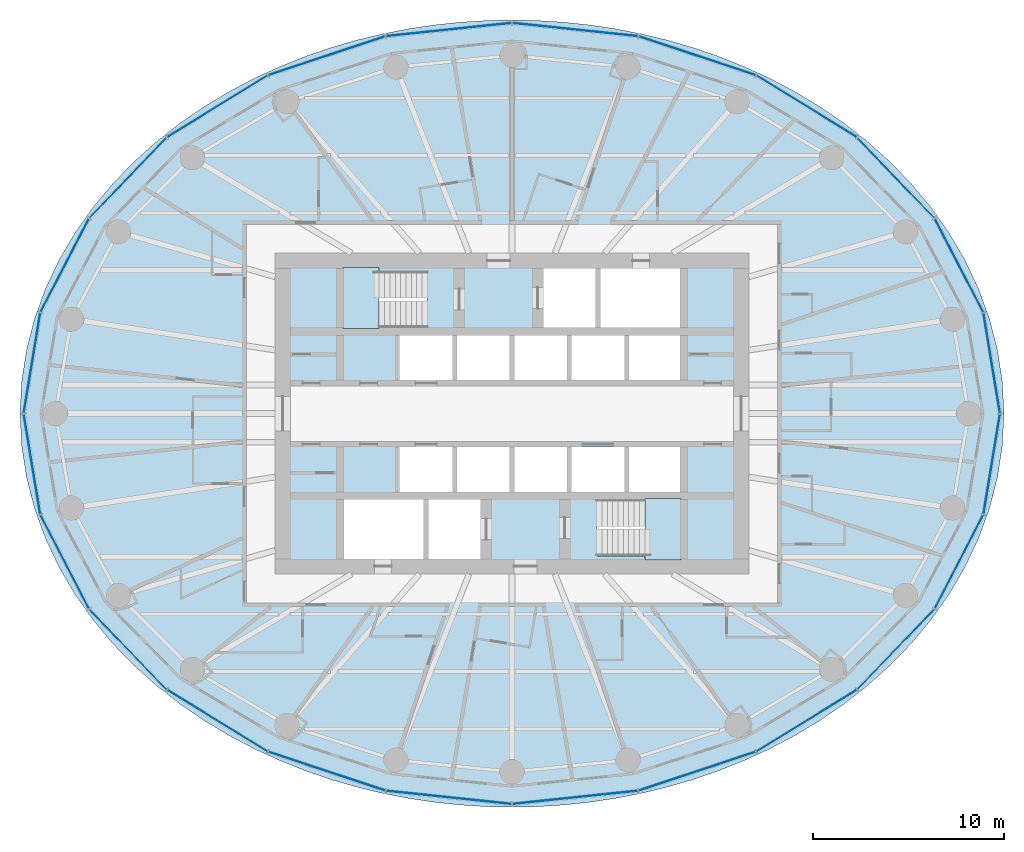
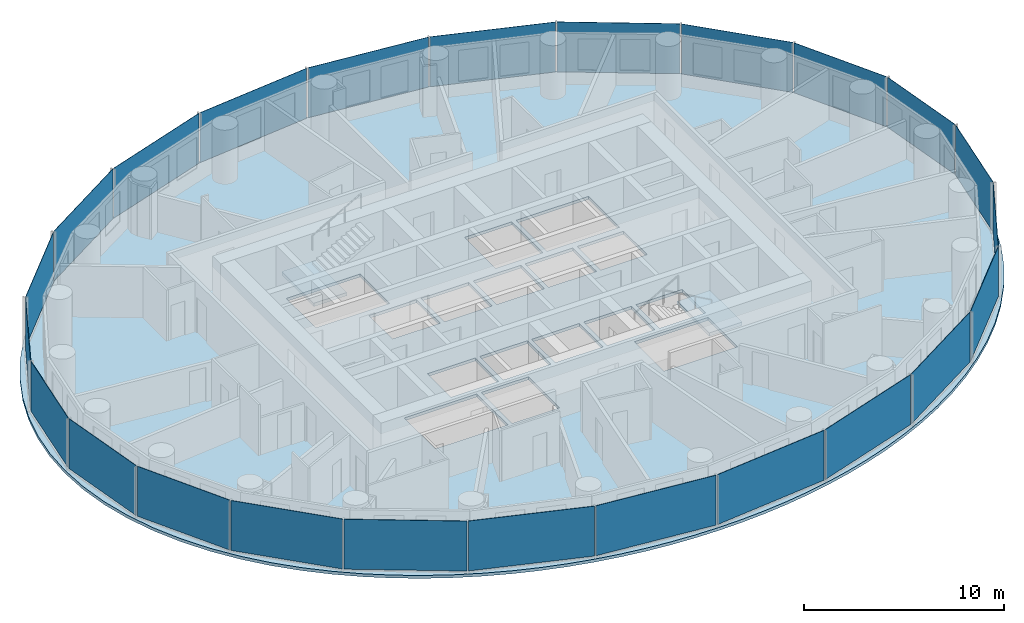
# One storey, part 5 of 13: 24 plates, 3 slabs, 6 elements without a shape of their own.
"""IFC4 building model written with IfcOpenShell, lengths in metres."""

from ifc_helpers import new_model, si_unit, direction, frame, origin, origin_2d, place, context, subcontext, project, spatial, polyline, rectangle, outline, extrude, material, layer, layer_set, type_object, element, aggregate, save


model = new_model("IFC4")

# Units and contexts
model_context = context("Model", 3, precision=1e-05, world=origin(), true_north=direction((0.0, 1.0)))
body_context = subcontext(model_context, "Body", "Model", "MODEL_VIEW")
ifc_project = project(units=[si_unit("LENGTHUNIT", "METRE"), si_unit("AREAUNIT", "SQUARE_METRE"), si_unit("VOLUMEUNIT", "CUBIC_METRE"), si_unit("PLANEANGLEUNIT", "RADIAN"), si_unit("MASSUNIT", "GRAM", prefix="KILO")], contexts=[model_context])

# Site, building, storey
site_placement = place(None, origin())
site = spatial("IfcSite", under=ifc_project, at=site_placement, CompositionType="ELEMENT")
building_placement = place(site_placement, origin())
building = spatial("IfcBuilding", under=site, at=building_placement, Name="Hankou Lantern Tower", CompositionType="ELEMENT")
storey_placement = place(building_placement, frame((0.0, 0.0, 132.0)))
storey = spatial("IfcBuildingStorey", under=building, at=storey_placement, Name="L34", CompositionType="ELEMENT", Elevation=132.0)

# Curtain wall, plates
ifc_material_1 = material(Name="Glass, dark grey tinted laminated", Category="glass")
curtain_wall_type = type_object("IfcCurtainWallType", Name="CWB OUTER SKIN MID-RISE", PredefinedType="USERDEFINED", material=ifc_material_1)
curtain_wall_1_placement = place(storey_placement, origin())
curtain_wall_1 = element("IfcCurtainWall", 1, at=curtain_wall_1_placement, inside=storey, type_object=curtain_wall_type, Name="CWB L34 OS1", ObjectType="OUTER SKIN MID-RISE", PredefinedType="USERDEFINED")
ifc_material_2 = material(Name="Glass, dark grey tinted laminated", Category="glass")
ifc_layer_1 = layer(ifc_material_2, 0.02392578125)
ifc_layer_set_1 = layer_set([ifc_layer_1], Name="Glass, dark grey tinted laminated")
plate_type = type_object("IfcPlateType", Name="PN1 OUTER SKIN GLASS PANEL", PredefinedType="CURTAIN_PANEL", material=ifc_layer_set_1)
plate_1_placement = place(storey_placement, frame((25.11474609375, 2.64501953125, 0.080078125), z_axis=(0.0, 0.0, 1.0), x_axis=(-0.162381515188, 0.986728049427, 0.0)))
plate_1 = element("IfcPlate", 2, at=plate_1_placement, type_object=plate_type, Name="CWB glass panel 1", PredefinedType="CURTAIN_PANEL", context=body_context, shape_type="SweptSolid", body=[
    extrude(rectangle(XDim=5.281494140625, YDim=0.02392578125, at=origin_2d()), origin(), (0.0, 0.0, 1.0), 3.0400390625),
])
plate_2_placement = place(storey_placement, frame((23.403076171875, 7.755126953125, 0.080078125), z_axis=(0.0, 0.0, 1.0), x_axis=(-0.459791091957, 0.888027112062, 0.0)))
plate_2 = element("IfcPlate", 3, at=plate_2_placement, type_object=plate_type, Name="CWB glass panel 2", PredefinedType="CURTAIN_PANEL", context=body_context, shape_type="SweptSolid", body=[
    extrude(rectangle(XDim=5.471435546875, YDim=0.02392578125, at=origin_2d()), origin(), (0.0, 0.0, 1.0), 3.0400390625),
])
plate_3_placement = place(storey_placement, frame((20.0966796875, 12.336669921875, 0.080078125), z_axis=(0.0, 0.0, 1.0), x_axis=(-0.692215809936, 0.721690565599, 0.0)))
plate_3 = element("IfcPlate", 4, at=plate_3_placement, type_object=plate_type, Name="CWB glass panel 3", PredefinedType="CURTAIN_PANEL", context=body_context, shape_type="SweptSolid", body=[
    extrude(rectangle(XDim=5.78564453125, YDim=0.02392578125, at=origin_2d()), origin(), (0.0, 0.0, 1.0), 3.0400390625),
])
plate_4_placement = place(storey_placement, frame((15.4208984375, 16.077392578125, 0.080078125), z_axis=(0.0, 0.0, 1.0), x_axis=(-0.852237151549, 0.523155653242, 0.0)))
plate_4 = element("IfcPlate", 5, at=plate_4_placement, type_object=plate_type, Name="CWB glass panel 4", PredefinedType="CURTAIN_PANEL", context=body_context, shape_type="SweptSolid", body=[
    extrude(rectangle(XDim=6.129150390625, YDim=0.02392578125, at=origin_2d()), origin(), (0.0, 0.0, 1.0), 3.0400390625),
])
plate_5_placement = place(storey_placement, frame((9.69384765625, 18.72265625, 0.080078125), z_axis=(0.0, 0.0, 1.0), x_axis=(-0.949240677293, 0.31455068999, 0.0)))
plate_5 = element("IfcPlate", 6, at=plate_5_placement, type_object=plate_type, Name="CWB glass panel 5", PredefinedType="CURTAIN_PANEL", context=body_context, shape_type="SweptSolid", body=[
    extrude(rectangle(XDim=6.41162109375, YDim=0.02392578125, at=origin_2d()), origin(), (0.0, 0.0, 1.0), 3.0400390625),
])
plate_6_placement = place(storey_placement, frame((3.306396484375, 20.091796875, 0.080078125), z_axis=(0.0, 0.0, 1.0), x_axis=(-0.994499359107, 0.104742659579, 0.0)))
plate_6 = element("IfcPlate", 7, at=plate_6_placement, type_object=plate_type, Name="CWB glass panel 6", PredefinedType="CURTAIN_PANEL", context=body_context, shape_type="SweptSolid", body=[
    extrude(rectangle(XDim=6.5693359375, YDim=0.02392578125, at=origin_2d()), origin(), (0.0, 0.0, 1.0), 3.0400390625),
])
aggregate(curtain_wall_1, [plate_1, plate_2, plate_3, plate_4, plate_5, plate_6])

curtain_wall_2_placement = place(storey_placement, origin())
curtain_wall_2 = element("IfcCurtainWall", 8, at=curtain_wall_2_placement, inside=storey, type_object=curtain_wall_type, Name="CWB L34 OS2", ObjectType="OUTER SKIN MID-RISE", PredefinedType="USERDEFINED")
plate_7_placement = place(storey_placement, frame((-3.306396484375, 20.091796875, 0.080078125), z_axis=(0.0, 0.0, 1.0), x_axis=(-0.994499359107, -0.104742659579, 0.0)))
plate_7 = element("IfcPlate", 9, at=plate_7_placement, type_object=plate_type, Name="CWB glass panel 1", PredefinedType="CURTAIN_PANEL", context=body_context, shape_type="SweptSolid", body=[
    extrude(rectangle(XDim=6.5693359375, YDim=0.02392578125, at=origin_2d()), origin(), (0.0, 0.0, 1.0), 3.0400390625),
])
plate_8_placement = place(storey_placement, frame((-9.69384765625, 18.72265625, 0.080078125), z_axis=(0.0, 0.0, 1.0), x_axis=(-0.949240677293, -0.31455068999, 0.0)))
plate_8 = element("IfcPlate", 10, at=plate_8_placement, type_object=plate_type, Name="CWB glass panel 2", PredefinedType="CURTAIN_PANEL", context=body_context, shape_type="SweptSolid", body=[
    extrude(rectangle(XDim=6.41162109375, YDim=0.02392578125, at=origin_2d()), origin(), (0.0, 0.0, 1.0), 3.0400390625),
])
plate_9_placement = place(storey_placement, frame((-15.4208984375, 16.077392578125, 0.080078125), z_axis=(0.0, 0.0, 1.0), x_axis=(-0.852237151549, -0.523155653242, 0.0)))
plate_9 = element("IfcPlate", 11, at=plate_9_placement, type_object=plate_type, Name="CWB glass panel 3", PredefinedType="CURTAIN_PANEL", context=body_context, shape_type="SweptSolid", body=[
    extrude(rectangle(XDim=6.129150390625, YDim=0.02392578125, at=origin_2d()), origin(), (0.0, 0.0, 1.0), 3.0400390625),
])
plate_10_placement = place(storey_placement, frame((-20.0966796875, 12.336669921875, 0.080078125), z_axis=(0.0, 0.0, 1.0), x_axis=(-0.692215809936, -0.721690565599, 0.0)))
plate_10 = element("IfcPlate", 12, at=plate_10_placement, type_object=plate_type, Name="CWB glass panel 4", PredefinedType="CURTAIN_PANEL", context=body_context, shape_type="SweptSolid", body=[
    extrude(rectangle(XDim=5.78564453125, YDim=0.02392578125, at=origin_2d()), origin(), (0.0, 0.0, 1.0), 3.0400390625),
])
plate_11_placement = place(storey_placement, frame((-23.403076171875, 7.755126953125, 0.080078125), z_axis=(0.0, 0.0, 1.0), x_axis=(-0.459791091957, -0.888027112062, 0.0)))
plate_11 = element("IfcPlate", 13, at=plate_11_placement, type_object=plate_type, Name="CWB glass panel 5", PredefinedType="CURTAIN_PANEL", context=body_context, shape_type="SweptSolid", body=[
    extrude(rectangle(XDim=5.471435546875, YDim=0.02392578125, at=origin_2d()), origin(), (0.0, 0.0, 1.0), 3.0400390625),
])
plate_12_placement = place(storey_placement, frame((-25.11474609375, 2.64501953125, 0.080078125), z_axis=(0.0, 0.0, 1.0), x_axis=(-0.162381515188, -0.986728049427, 0.0)))
plate_12 = element("IfcPlate", 14, at=plate_12_placement, type_object=plate_type, Name="CWB glass panel 6", PredefinedType="CURTAIN_PANEL", context=body_context, shape_type="SweptSolid", body=[
    extrude(rectangle(XDim=5.281494140625, YDim=0.02392578125, at=origin_2d()), origin(), (0.0, 0.0, 1.0), 3.0400390625),
])
aggregate(curtain_wall_2, [plate_7, plate_8, plate_9, plate_10, plate_11, plate_12])

curtain_wall_3_placement = place(storey_placement, origin())
curtain_wall_3 = element("IfcCurtainWall", 15, at=curtain_wall_3_placement, inside=storey, type_object=curtain_wall_type, Name="CWB L34 OS3", ObjectType="OUTER SKIN MID-RISE", PredefinedType="USERDEFINED")
plate_13_placement = place(storey_placement, frame((-25.11474609375, -2.64501953125, 0.080078125), z_axis=(0.0, 0.0, 1.0), x_axis=(0.162381515188, -0.986728049427, 0.0)))
plate_13 = element("IfcPlate", 16, at=plate_13_placement, type_object=plate_type, Name="CWB glass panel 1", PredefinedType="CURTAIN_PANEL", context=body_context, shape_type="SweptSolid", body=[
    extrude(rectangle(XDim=5.281494140625, YDim=0.02392578125, at=origin_2d()), origin(), (0.0, 0.0, 1.0), 3.0400390625),
])
plate_14_placement = place(storey_placement, frame((-23.403076171875, -7.755126953125, 0.080078125), z_axis=(0.0, 0.0, 1.0), x_axis=(0.459791091957, -0.888027112062, 0.0)))
plate_14 = element("IfcPlate", 17, at=plate_14_placement, type_object=plate_type, Name="CWB glass panel 2", PredefinedType="CURTAIN_PANEL", context=body_context, shape_type="SweptSolid", body=[
    extrude(rectangle(XDim=5.471435546875, YDim=0.02392578125, at=origin_2d()), origin(), (0.0, 0.0, 1.0), 3.0400390625),
])
plate_15_placement = place(storey_placement, frame((-20.0966796875, -12.336669921875, 0.080078125), z_axis=(0.0, 0.0, 1.0), x_axis=(0.692215809936, -0.721690565599, 0.0)))
plate_15 = element("IfcPlate", 18, at=plate_15_placement, type_object=plate_type, Name="CWB glass panel 3", PredefinedType="CURTAIN_PANEL", context=body_context, shape_type="SweptSolid", body=[
    extrude(rectangle(XDim=5.78564453125, YDim=0.02392578125, at=origin_2d()), origin(), (0.0, 0.0, 1.0), 3.0400390625),
])
plate_16_placement = place(storey_placement, frame((-15.4208984375, -16.077392578125, 0.080078125), z_axis=(0.0, 0.0, 1.0), x_axis=(0.852237151549, -0.523155653242, 0.0)))
plate_16 = element("IfcPlate", 19, at=plate_16_placement, type_object=plate_type, Name="CWB glass panel 4", PredefinedType="CURTAIN_PANEL", context=body_context, shape_type="SweptSolid", body=[
    extrude(rectangle(XDim=6.129150390625, YDim=0.02392578125, at=origin_2d()), origin(), (0.0, 0.0, 1.0), 3.0400390625),
])
plate_17_placement = place(storey_placement, frame((-9.69384765625, -18.72265625, 0.080078125), z_axis=(0.0, 0.0, 1.0), x_axis=(0.949240677293, -0.31455068999, 0.0)))
plate_17 = element("IfcPlate", 20, at=plate_17_placement, type_object=plate_type, Name="CWB glass panel 5", PredefinedType="CURTAIN_PANEL", context=body_context, shape_type="SweptSolid", body=[
    extrude(rectangle(XDim=6.41162109375, YDim=0.02392578125, at=origin_2d()), origin(), (0.0, 0.0, 1.0), 3.0400390625),
])
plate_18_placement = place(storey_placement, frame((-3.306396484375, -20.091796875, 0.080078125), z_axis=(0.0, 0.0, 1.0), x_axis=(0.994499359107, -0.104742659579, 0.0)))
plate_18 = element("IfcPlate", 21, at=plate_18_placement, type_object=plate_type, Name="CWB glass panel 6", PredefinedType="CURTAIN_PANEL", context=body_context, shape_type="SweptSolid", body=[
    extrude(rectangle(XDim=6.5693359375, YDim=0.02392578125, at=origin_2d()), origin(), (0.0, 0.0, 1.0), 3.0400390625),
])
aggregate(curtain_wall_3, [plate_13, plate_14, plate_15, plate_16, plate_17, plate_18])

curtain_wall_4_placement = place(storey_placement, origin())
curtain_wall_4 = element("IfcCurtainWall", 22, at=curtain_wall_4_placement, inside=storey, type_object=curtain_wall_type, Name="CWB L34 OS4", ObjectType="OUTER SKIN MID-RISE", PredefinedType="USERDEFINED")
plate_19_placement = place(storey_placement, frame((3.306396484375, -20.091796875, 0.080078125), z_axis=(0.0, 0.0, 1.0), x_axis=(0.994499359107, 0.104742659579, 0.0)))
plate_19 = element("IfcPlate", 23, at=plate_19_placement, type_object=plate_type, Name="CWB glass panel 1", PredefinedType="CURTAIN_PANEL", context=body_context, shape_type="SweptSolid", body=[
    extrude(rectangle(XDim=6.5693359375, YDim=0.02392578125, at=origin_2d()), origin(), (0.0, 0.0, 1.0), 3.0400390625),
])
plate_20_placement = place(storey_placement, frame((9.69384765625, -18.72265625, 0.080078125), z_axis=(0.0, 0.0, 1.0), x_axis=(0.949240677293, 0.31455068999, 0.0)))
plate_20 = element("IfcPlate", 24, at=plate_20_placement, type_object=plate_type, Name="CWB glass panel 2", PredefinedType="CURTAIN_PANEL", context=body_context, shape_type="SweptSolid", body=[
    extrude(rectangle(XDim=6.41162109375, YDim=0.02392578125, at=origin_2d()), origin(), (0.0, 0.0, 1.0), 3.0400390625),
])
plate_21_placement = place(storey_placement, frame((15.4208984375, -16.077392578125, 0.080078125), z_axis=(0.0, 0.0, 1.0), x_axis=(0.852237151549, 0.523155653242, 0.0)))
plate_21 = element("IfcPlate", 25, at=plate_21_placement, type_object=plate_type, Name="CWB glass panel 3", PredefinedType="CURTAIN_PANEL", context=body_context, shape_type="SweptSolid", body=[
    extrude(rectangle(XDim=6.129150390625, YDim=0.02392578125, at=origin_2d()), origin(), (0.0, 0.0, 1.0), 3.0400390625),
])
plate_22_placement = place(storey_placement, frame((20.0966796875, -12.336669921875, 0.080078125), z_axis=(0.0, 0.0, 1.0), x_axis=(0.692215809936, 0.721690565599, 0.0)))
plate_22 = element("IfcPlate", 26, at=plate_22_placement, type_object=plate_type, Name="CWB glass panel 4", PredefinedType="CURTAIN_PANEL", context=body_context, shape_type="SweptSolid", body=[
    extrude(rectangle(XDim=5.78564453125, YDim=0.02392578125, at=origin_2d()), origin(), (0.0, 0.0, 1.0), 3.0400390625),
])
plate_23_placement = place(storey_placement, frame((23.403076171875, -7.755126953125, 0.080078125), z_axis=(0.0, 0.0, 1.0), x_axis=(0.459791091957, 0.888027112062, 0.0)))
plate_23 = element("IfcPlate", 27, at=plate_23_placement, type_object=plate_type, Name="CWB glass panel 5", PredefinedType="CURTAIN_PANEL", context=body_context, shape_type="SweptSolid", body=[
    extrude(rectangle(XDim=5.471435546875, YDim=0.02392578125, at=origin_2d()), origin(), (0.0, 0.0, 1.0), 3.0400390625),
])
plate_24_placement = place(storey_placement, frame((25.11474609375, -2.64501953125, 0.080078125), z_axis=(0.0, 0.0, 1.0), x_axis=(0.162381515188, 0.986728049427, 0.0)))
plate_24 = element("IfcPlate", 28, at=plate_24_placement, type_object=plate_type, Name="CWB glass panel 6", PredefinedType="CURTAIN_PANEL", context=body_context, shape_type="SweptSolid", body=[
    extrude(rectangle(XDim=5.281494140625, YDim=0.02392578125, at=origin_2d()), origin(), (0.0, 0.0, 1.0), 3.0400390625),
])
aggregate(curtain_wall_4, [plate_19, plate_20, plate_21, plate_22, plate_23, plate_24])

# Slab
ifc_material_3 = material(Name="Concrete C50", Category="concrete")
ifc_layer_2 = layer(ifc_material_3, 0.179931640625)
ifc_layer_set_2 = layer_set([ifc_layer_2], Name="Concrete C50")
slab_type_1 = type_object("IfcSlabType", Name="S1 CONCRETE FLOOR SLAB 180", PredefinedType="FLOOR", material=ifc_layer_set_2)
slab_1_placement = place(storey_placement, frame((0.0, 0.0, -0.179931640625)))
element("IfcSlab", 29, at=slab_1_placement, inside=storey, type_object=slab_type_1, Name="Floor slab L34", PredefinedType="FLOOR", context=body_context, shape_type="SweptSolid", body=[
    extrude(outline(polyline([(25.75, 0.0), (25.6640625, 1.68212890625), (25.408203125, 3.344970703125), (24.9892578125, 4.970703125), (24.416748046875, 6.54248046875), (23.704345703125, 8.046630859375), (22.86669921875, 9.4716796875), (21.919921875, 10.809814453125), (20.88037109375, 12.05517578125), (19.763427734375, 13.205322265625), (18.58349609375, 14.259765625), (17.35400390625, 15.218994140625), (16.0859375, 16.0859375), (14.7890625, 16.863525390625), (13.47119140625, 17.55615234375), (12.138916015625, 18.167236328125), (10.79736328125, 18.701416015625), (9.449951171875, 19.16259765625), (8.099609375, 19.554443359375), (6.748291015625, 19.8798828125), (5.397216796875, 20.142333984375), (4.046630859375, 20.343994140625), (2.697021484375, 20.486572265625), (1.348388671875, 20.57177734375), (0.0, 20.60009765625), (-1.348388671875, 20.57177734375), (-2.697021484375, 20.486572265625), (-4.046630859375, 20.343994140625), (-5.397216796875, 20.142333984375), (-6.748291015625, 19.8798828125), (-8.099609375, 19.554443359375), (-9.449951171875, 19.16259765625), (-10.79736328125, 18.701416015625), (-12.138916015625, 18.167236328125), (-13.47119140625, 17.55615234375), (-14.7890625, 16.863525390625), (-16.0859375, 16.0859375), (-17.35400390625, 15.218994140625), (-18.58349609375, 14.259765625), (-19.763427734375, 13.205322265625), (-20.88037109375, 12.05517578125), (-21.919921875, 10.809814453125), (-22.86669921875, 9.4716796875), (-23.704345703125, 8.046630859375), (-24.416748046875, 6.54248046875), (-24.9892578125, 4.970703125), (-25.408203125, 3.344970703125), (-25.6640625, 1.68212890625), (-25.75, 0.0), (-25.6640625, -1.68212890625), (-25.408203125, -3.344970703125), (-24.9892578125, -4.970703125), (-24.416748046875, -6.54248046875), (-23.704345703125, -8.046630859375), (-22.86669921875, -9.4716796875), (-21.919921875, -10.809814453125), (-20.88037109375, -12.05517578125), (-19.763427734375, -13.205322265625), (-18.58349609375, -14.259765625), (-17.35400390625, -15.218994140625), (-16.0859375, -16.0859375), (-14.7890625, -16.863525390625), (-13.47119140625, -17.55615234375), (-12.138916015625, -18.167236328125), (-10.79736328125, -18.701416015625), (-9.449951171875, -19.16259765625), (-8.099609375, -19.554443359375), (-6.748291015625, -19.8798828125), (-5.397216796875, -20.142333984375), (-4.046630859375, -20.343994140625), (-2.697021484375, -20.486572265625), (-1.348388671875, -20.57177734375), (0.0, -20.60009765625), (1.348388671875, -20.57177734375), (2.697021484375, -20.486572265625), (4.046630859375, -20.343994140625), (5.397216796875, -20.142333984375), (6.748291015625, -19.8798828125), (8.099609375, -19.554443359375), (9.449951171875, -19.16259765625), (10.79736328125, -18.701416015625), (12.138916015625, -18.167236328125), (13.47119140625, -17.55615234375), (14.7890625, -16.863525390625), (16.0859375, -16.0859375), (17.35400390625, -15.218994140625), (18.58349609375, -14.259765625), (19.763427734375, -13.205322265625), (20.88037109375, -12.05517578125), (21.919921875, -10.809814453125), (22.86669921875, -9.4716796875), (23.704345703125, -8.046630859375), (24.416748046875, -6.54248046875), (24.9892578125, -4.970703125), (25.408203125, -3.344970703125), (25.6640625, -1.68212890625), (25.75, 0.0)]), holes=[polyline([(-5.875, 4.10009765625), (-3.125, 4.10009765625), (-3.125, 1.75), (-5.875, 1.75), (-5.875, 4.10009765625)]), polyline([(-2.875, 4.10009765625), (-0.125, 4.10009765625), (-0.125, 1.75), (-2.875, 1.75), (-2.875, 4.10009765625)]), polyline([(0.125, 4.10009765625), (2.875, 4.10009765625), (2.875, 1.75), (0.125, 1.75), (0.125, 4.10009765625)]), polyline([(3.125, 4.10009765625), (5.875, 4.10009765625), (5.875, 1.75), (3.125, 1.75), (3.125, 4.10009765625)]), polyline([(6.125, 4.10009765625), (8.800048828125, 4.10009765625), (8.800048828125, 1.75), (6.125, 1.75), (6.125, 4.10009765625)]), polyline([(-5.875, -1.75), (-3.125, -1.75), (-3.125, -4.10009765625), (-5.875, -4.10009765625), (-5.875, -1.75)]), polyline([(-2.875, -1.75), (-0.125, -1.75), (-0.125, -4.10009765625), (-2.875, -4.10009765625), (-2.875, -1.75)]), polyline([(0.125, -1.75), (2.875, -1.75), (2.875, -4.10009765625), (0.125, -4.10009765625), (0.125, -1.75)]), polyline([(3.125, -1.75), (5.875, -1.75), (5.875, -4.10009765625), (3.125, -4.10009765625), (3.125, -1.75)]), polyline([(6.125, -1.75), (8.800048828125, -1.75), (8.800048828125, -4.10009765625), (6.125, -4.10009765625), (6.125, -1.75)]), polyline([(1.64990234375, 7.60009765625), (4.375, 7.60009765625), (4.375, 4.5), (1.64990234375, 4.5), (1.64990234375, 7.60009765625)]), polyline([(-4.375, -4.5), (-1.64990234375, -4.5), (-1.64990234375, -7.60009765625), (-4.375, -7.60009765625), (-4.375, -4.5)]), polyline([(-8.699951171875, 7.449951171875), (-4.449951171875, 7.449951171875), (-4.449951171875, 4.5), (-8.699951171875, 4.5), (-8.699951171875, 7.449951171875)]), polyline([(4.449951171875, -4.5), (8.699951171875, -4.5), (8.699951171875, -7.449951171875), (4.449951171875, -7.449951171875), (4.449951171875, -4.5)]), polyline([(4.625, 7.60009765625), (8.800048828125, 7.60009765625), (8.800048828125, 4.5), (4.625, 4.5), (4.625, 7.60009765625)]), polyline([(-8.800048828125, -4.5), (-4.625, -4.5), (-4.625, -7.60009765625), (-8.800048828125, -7.60009765625), (-8.800048828125, -4.5)])]), origin(), (0.0, 0.0, 1.0), 0.179931640625),
])

# Stair, slab
ifc_material_4 = material(Name="Concrete C40", Category="concrete")
stair_type = type_object("IfcStairType", Name="ST33 CORE STAIR 3300 RISE", PredefinedType="HALF_TURN_STAIR", material=ifc_material_4)
stair_1_placement = place(storey_placement, origin())
stair_1 = element("IfcStair", 30, at=stair_1_placement, inside=storey, type_object=stair_type, Name="Stair STA L34", PredefinedType="HALF_TURN_STAIR")
ifc_material_5 = material(Name="Concrete C40", Category="concrete")
ifc_layer_3 = layer(ifc_material_5, 0.199951171875)
ifc_layer_set_3 = layer_set([ifc_layer_3], Name="Concrete C40")
slab_type_2 = type_object("IfcSlabType", Name="SL1 STAIR LANDING 200", PredefinedType="LANDING", material=ifc_layer_set_3)
slab_2_placement = place(storey_placement, frame((0.0, 0.0, 1.371337890625)))
slab_2 = element("IfcSlab", 31, at=slab_2_placement, type_object=slab_type_2, Name="STA landing 1", PredefinedType="LANDING", context=body_context, shape_type="SweptSolid", body=[
    extrude(outline(polyline([(-8.85009765625, 4.449951171875), (-6.949951171875, 4.449951171875), (-6.949951171875, 7.64990234375), (-8.85009765625, 7.64990234375), (-8.85009765625, 4.449951171875)])), origin(), (0.0, 0.0, 1.0), 0.2001953125),
])
aggregate(stair_1, [slab_2])

stair_2_placement = place(storey_placement, origin())
stair_2 = element("IfcStair", 32, at=stair_2_placement, inside=storey, type_object=stair_type, Name="Stair STB L34", PredefinedType="HALF_TURN_STAIR")
slab_3_placement = place(storey_placement, frame((0.0, 0.0, 1.371337890625)))
slab_3 = element("IfcSlab", 33, at=slab_3_placement, type_object=slab_type_2, Name="STB landing 1", PredefinedType="LANDING", context=body_context, shape_type="SweptSolid", body=[
    extrude(outline(polyline([(8.85009765625, -4.449951171875), (6.949951171875, -4.449951171875), (6.949951171875, -7.64990234375), (8.85009765625, -7.64990234375), (8.85009765625, -4.449951171875)])), origin(), (0.0, 0.0, 1.0), 0.2001953125),
])
aggregate(stair_2, [slab_3])

save(model, "model.ifc")
